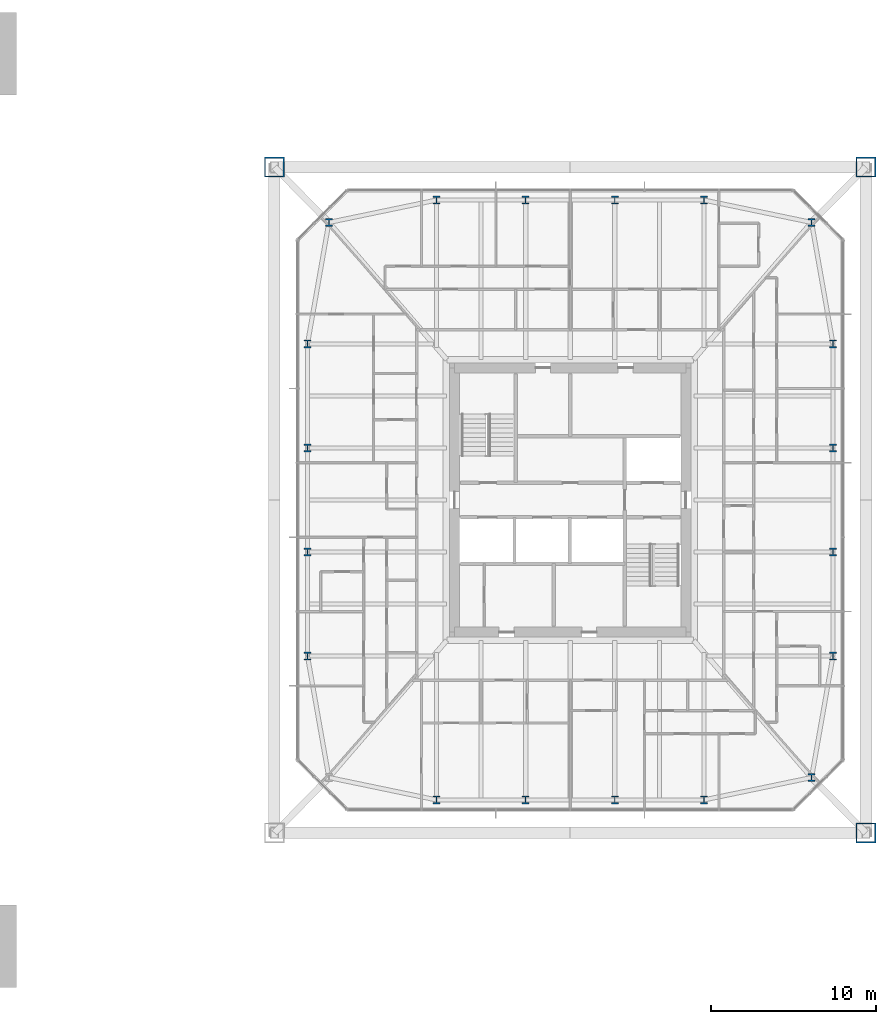
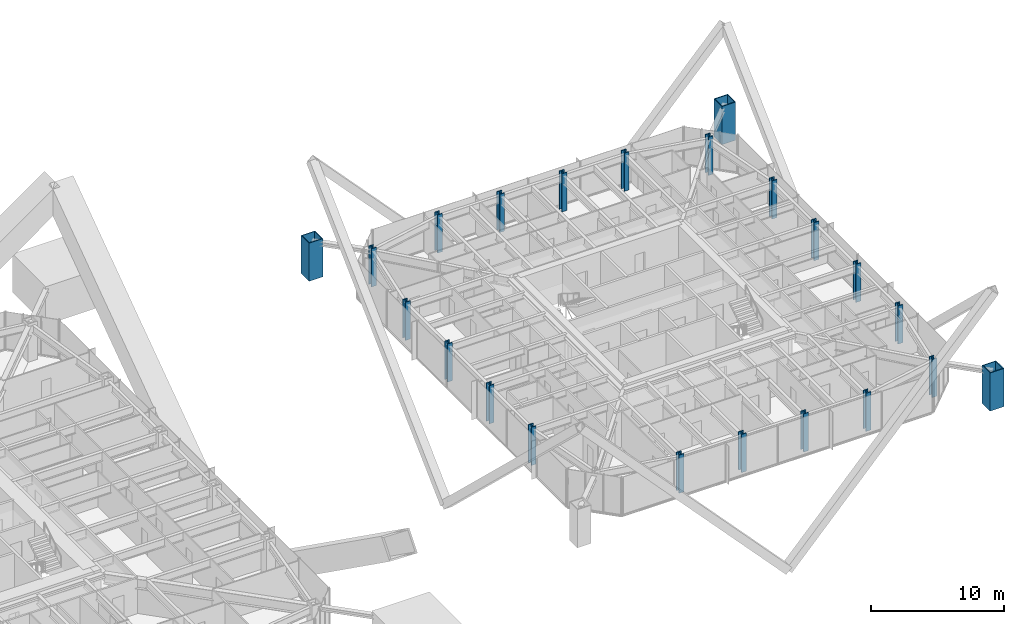
# One storey, part 2 of 28: 22 columns.
"""IFC4 building model written with IfcOpenShell, lengths in metres."""

from ifc_helpers import new_model, si_unit, direction, frame, origin, origin_2d, place, context, subcontext, project, spatial, hollow_rectangle, i_section, extrude, material, material_profile, profile_set, type_object, element, save


model = new_model("IFC4")

# Units and contexts
model_context = context("Model", 3, precision=1e-05, world=origin(), true_north=direction((0.0, 1.0)))
body_context = subcontext(model_context, "Body", "Model", "MODEL_VIEW")
ifc_project = project(units=[si_unit("LENGTHUNIT", "METRE"), si_unit("AREAUNIT", "SQUARE_METRE"), si_unit("VOLUMEUNIT", "CUBIC_METRE"), si_unit("PLANEANGLEUNIT", "RADIAN"), si_unit("MASSUNIT", "GRAM", prefix="KILO")], contexts=[model_context])

# Site, building, storey
site_placement = place(None, origin())
site = spatial("IfcSite", under=ifc_project, at=site_placement, CompositionType="ELEMENT")
building_placement = place(site_placement, origin())
building = spatial("IfcBuilding", under=site, at=building_placement, Name="Iwan Alto Co-Living Towers", CompositionType="ELEMENT")
storey_placement = place(building_placement, frame((0.0, 0.0, 64.0)))
storey = spatial("IfcBuildingStorey", under=building, at=storey_placement, Name="L17", CompositionType="ELEMENT", Elevation=64.0)

# Columns
ifc_material_1 = material(Name="Steel ASTM A572 Gr 50", Category="steel")
ifc_material_profile_1 = material_profile(ifc_material_1, hollow_rectangle(XDim=1.199951171875, YDim=1.199951171875, WallThickness=0.070068359375, at=origin_2d()), Name="BOX 1200X1200X70")
ifc_profile_set_1 = profile_set([ifc_material_profile_1], Name="Steel ASTM A572 Gr 50")
column_type_1 = type_object("IfcColumnType", Name="T2 MEGA COLUMN BOX 1200X1200X70", PredefinedType="COLUMN", material=ifc_profile_set_1)
for number, where, z_axis, x_axis, name in (
    (1, (80.89990234375, -20.14990234375, 0.0), (0.0, 0.0, 1.0), (1.0, 0.0, 0.0), "T2 mega column SE L17"),
    (2, (80.89990234375, 20.14990234375, 0.0), (0.0, 0.0, 1.0), (1.0, 0.0, 0.0), "T2 mega column NE L17"),
    (3, (45.10009765625, 20.14990234375, 0.0), (0.0, 0.0, 1.0), (1.0, 0.0, 0.0), "T2 mega column NW L17"),
):
    element("IfcColumn", number, at=place(storey_placement, frame(where, z_axis=z_axis, x_axis=x_axis)), inside=storey, type_object=column_type_1, Name=name, PredefinedType="COLUMN", context=body_context, shape_type="SweptSolid", body=[
        extrude(hollow_rectangle(XDim=1.199951171875, YDim=1.199951171875, WallThickness=0.070068359375, at=origin_2d()), origin(), (0.0, 0.0, 1.0), 3.5),
    ])
ifc_material_2 = material(Name="Steel ASTM A992 Gr 50", Category="steel")
ifc_material_profile_2 = material_profile(ifc_material_2, i_section(OverallWidth=0.424072265625, OverallDepth=0.47509765625, WebThickness=0.0478515625, FlangeThickness=0.0771484375, at=origin_2d()), Name="W14X426")
ifc_profile_set_2 = profile_set([ifc_material_profile_2], Name="Steel ASTM A992 Gr 50")
column_type_2 = type_object("IfcColumnType", Name="T2 RING COLUMN W14X426", PredefinedType="COLUMN", material=ifc_profile_set_2)
for number, where, z_axis, x_axis, name in (
    (4, (54.89990234375, -18.14990234375, 0.0), (0.0, 0.0, 1.0), (1.0, 0.0, 0.0), "T2 ring column S1 L17"),
    (5, (60.300048828125, -18.14990234375, 0.0), (0.0, 0.0, 1.0), (1.0, 0.0, 0.0), "T2 ring column S2 L17"),
    (6, (65.699951171875, -18.14990234375, 0.0), (0.0, 0.0, 1.0), (1.0, 0.0, 0.0), "T2 ring column S3 L17"),
    (7, (71.10009765625, -18.14990234375, 0.0), (0.0, 0.0, 1.0), (1.0, 0.0, 0.0), "T2 ring column S4 L17"),
    (8, (77.606201171875, -16.797119140625, 0.0), (0.0, 0.0, 1.0), (1.0, 0.0, 0.0), "T2 ring column CSE L17"),
    (9, (78.89990234375, -9.449951171875, 0.0), (0.0, 0.0, 1.0), (1.0, 0.0, 0.0), "T2 ring column E1 L17"),
    (10, (78.89990234375, -3.14990234375, 0.0), (0.0, 0.0, 1.0), (1.0, 0.0, 0.0), "T2 ring column E2 L17"),
    (11, (78.89990234375, 3.14990234375, 0.0), (0.0, 0.0, 1.0), (1.0, 0.0, 0.0), "T2 ring column E3 L17"),
    (12, (78.89990234375, 9.449951171875, 0.0), (0.0, 0.0, 1.0), (1.0, 0.0, 0.0), "T2 ring column E4 L17"),
    (13, (77.606201171875, 16.797119140625, 0.0), (0.0, 0.0, 1.0), (1.0, 0.0, 0.0), "T2 ring column CNE L17"),
    (14, (71.10009765625, 18.14990234375, 0.0), (0.0, 0.0, 1.0), (1.0, 0.0, 0.0), "T2 ring column N1 L17"),
    (15, (65.699951171875, 18.14990234375, 0.0), (0.0, 0.0, 1.0), (1.0, 0.0, 0.0), "T2 ring column N2 L17"),
    (16, (60.300048828125, 18.14990234375, 0.0), (0.0, 0.0, 1.0), (1.0, 0.0, 0.0), "T2 ring column N3 L17"),
    (17, (54.89990234375, 18.14990234375, 0.0), (0.0, 0.0, 1.0), (1.0, 0.0, 0.0), "T2 ring column N4 L17"),
    (18, (48.393798828125, 16.797119140625, 0.0), (0.0, 0.0, 1.0), (1.0, 0.0, 0.0), "T2 ring column CNW L17"),
    (19, (47.10009765625, 9.449951171875, 0.0), (0.0, 0.0, 1.0), (1.0, 0.0, 0.0), "T2 ring column W1 L17"),
    (20, (47.10009765625, 3.14990234375, 0.0), (0.0, 0.0, 1.0), (1.0, 0.0, 0.0), "T2 ring column W2 L17"),
    (21, (47.10009765625, -3.14990234375, 0.0), (0.0, 0.0, 1.0), (1.0, 0.0, 0.0), "T2 ring column W3 L17"),
    (22, (47.10009765625, -9.449951171875, 0.0), (0.0, 0.0, 1.0), (1.0, 0.0, 0.0), "T2 ring column W4 L17"),
):
    element("IfcColumn", number, at=place(storey_placement, frame(where, z_axis=z_axis, x_axis=x_axis)), inside=storey, type_object=column_type_2, Name=name, PredefinedType="COLUMN", context=body_context, shape_type="SweptSolid", body=[
        extrude(i_section(OverallWidth=0.424072265625, OverallDepth=0.47509765625, WebThickness=0.0478515625, FlangeThickness=0.0771484375, at=origin_2d()), origin(), (0.0, 0.0, 1.0), 3.5),
    ])

save(model, "model.ifc")
